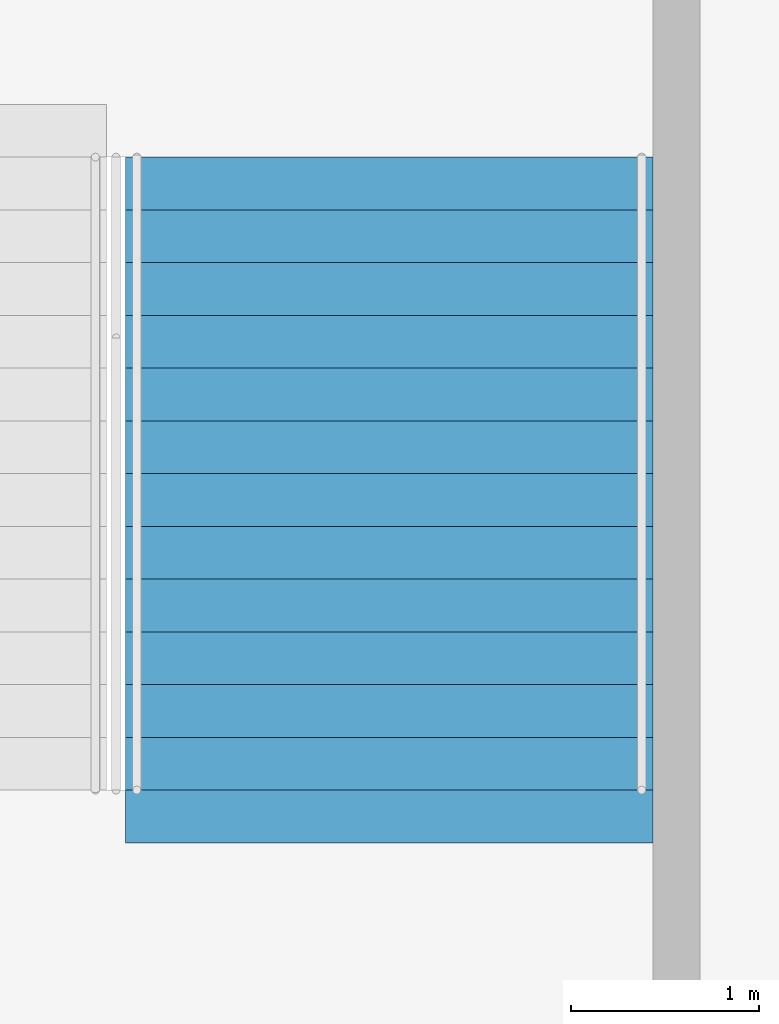
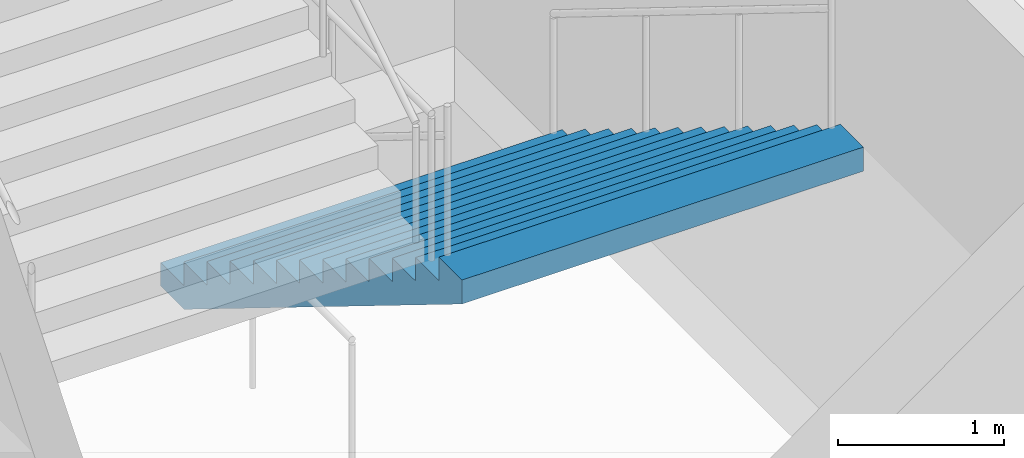
# One storey, part 119 of 199: 1 stair flight, 1 element without a shape of its own.
"""IFC4 building model written with IfcOpenShell, lengths in metres."""

from ifc_helpers import new_model, si_unit, direction, frame, origin, place, context, subcontext, project, spatial, faceted_brep, material, type_object, element, aggregate, save


model = new_model("IFC4")

# Units and contexts
model_context = context("Model", 3, precision=1e-05, world=origin(), true_north=direction((0.0, 1.0)))
body_context = subcontext(model_context, "Body", "Model", "MODEL_VIEW")
ifc_project = project(units=[si_unit("LENGTHUNIT", "METRE"), si_unit("AREAUNIT", "SQUARE_METRE"), si_unit("VOLUMEUNIT", "CUBIC_METRE"), si_unit("PLANEANGLEUNIT", "RADIAN"), si_unit("MASSUNIT", "GRAM", prefix="KILO")], contexts=[model_context])

# Site, building, storey
site_placement = place(None, origin())
site = spatial("IfcSite", under=ifc_project, at=site_placement, CompositionType="ELEMENT")
building_placement = place(site_placement, origin())
building = spatial("IfcBuilding", under=site, at=building_placement, Name="Ogive Plaza Stadium", CompositionType="ELEMENT")
storey_placement = place(building_placement, frame((0.0, 0.0, 4.5)))
storey = spatial("IfcBuildingStorey", under=building, at=storey_placement, Name="L01", CompositionType="ELEMENT", Elevation=4.5)

# Stair, stair flight
ifc_material_1 = material(Name="Concrete C40/50", Category="concrete")
stair_type = type_object("IfcStairType", Name="Exit stair", PredefinedType="STRAIGHT_RUN_STAIR", material=ifc_material_1)
stair_placement = place(storey_placement, origin())
stair = element("IfcStair", 1, at=stair_placement, inside=storey, type_object=stair_type, Name="Exit stair ST16B L01 to L02", PredefinedType="STRAIGHT_RUN_STAIR")
ifc_material_2 = material(Name="Concrete C40/50", Category="concrete")
stair_flight_type = type_object("IfcStairFlightType", Name="Exit stair flight", PredefinedType="STRAIGHT", material=ifc_material_2)
stair_flight_placement = place(storey_placement, frame((-15.97509765625, -94.85009765625, 0.0), z_axis=(0.0, 0.0, 1.0), x_axis=(0.0, -1.0, 0.0)))
stair_flight = element("IfcStairFlight", 2, at=stair_flight_placement, type_object=stair_flight_type, Name="ST16B flight 1", NumberOfRisers=13, NumberOfTreads=12, PredefinedType="STRAIGHT", RiserHeight=0.173076923, TreadLength=0.28, context=body_context, shape_type="Brep", body=[
    faceted_brep([(0.28515625, -1.39990234375, 0.0), (3.639892578125, -1.39990234375, 2.07373046875), (3.639892578125, -1.39990234375, 2.25), (3.360107421875, -1.39990234375, 2.25), (3.360107421875, -1.39990234375, 2.076904296875), (3.080078125, -1.39990234375, 2.076904296875), (3.080078125, -1.39990234375, 1.90380859375), (2.800048828125, -1.39990234375, 1.90380859375), (2.800048828125, -1.39990234375, 1.730712890625), (2.52001953125, -1.39990234375, 1.730712890625), (2.52001953125, -1.39990234375, 1.5576171875), (2.239990234375, -1.39990234375, 1.5576171875), (2.239990234375, -1.39990234375, 1.384521484375), (1.9599609375, -1.39990234375, 1.384521484375), (1.9599609375, -1.39990234375, 1.21142578125), (1.679931640625, -1.39990234375, 1.21142578125), (1.679931640625, -1.39990234375, 1.03857421875), (1.39990234375, -1.39990234375, 1.03857421875), (1.39990234375, -1.39990234375, 0.865478515625), (1.1201171875, -1.39990234375, 0.865478515625), (1.1201171875, -1.39990234375, 0.6923828125), (0.840087890625, -1.39990234375, 0.6923828125), (0.840087890625, -1.39990234375, 0.519287109375), (0.56005859375, -1.39990234375, 0.519287109375), (0.56005859375, -1.39990234375, 0.34619140625), (0.280029296875, -1.39990234375, 0.34619140625), (0.280029296875, -1.39990234375, 0.173095703125), (0.0, -1.39990234375, 0.173095703125), (0.0, -1.39990234375, 0.0), (0.0, 1.39990234375, 0.0), (0.0, 1.39990234375, 0.173095703125), (0.280029296875, 1.39990234375, 0.173095703125), (0.280029296875, 1.39990234375, 0.34619140625), (0.56005859375, 1.39990234375, 0.34619140625), (0.56005859375, 1.39990234375, 0.519287109375), (0.840087890625, 1.39990234375, 0.519287109375), (0.840087890625, 1.39990234375, 0.6923828125), (1.1201171875, 1.39990234375, 0.6923828125), (1.1201171875, 1.39990234375, 0.865478515625), (1.39990234375, 1.39990234375, 0.865478515625), (1.39990234375, 1.39990234375, 1.03857421875), (1.679931640625, 1.39990234375, 1.03857421875), (1.679931640625, 1.39990234375, 1.21142578125), (1.9599609375, 1.39990234375, 1.21142578125), (1.9599609375, 1.39990234375, 1.384521484375), (2.239990234375, 1.39990234375, 1.384521484375), (2.239990234375, 1.39990234375, 1.5576171875), (2.52001953125, 1.39990234375, 1.5576171875), (2.52001953125, 1.39990234375, 1.730712890625), (2.800048828125, 1.39990234375, 1.730712890625), (2.800048828125, 1.39990234375, 1.90380859375), (3.080078125, 1.39990234375, 1.90380859375), (3.080078125, 1.39990234375, 2.076904296875), (3.360107421875, 1.39990234375, 2.076904296875), (3.360107421875, 1.39990234375, 2.25), (3.639892578125, 1.39990234375, 2.25), (3.639892578125, 1.39990234375, 2.07373046875), (0.28515625, 1.39990234375, 0.0), (0.28515625, -1.0888671875, 0.0), (3.639892578125, -1.0888671875, 2.07373046875), (0.28515625, -0.77783203125, 0.0), (3.639892578125, -0.77783203125, 2.07373046875), (0.28515625, -0.466796875, 0.0), (3.639892578125, -0.466796875, 2.07373046875), (0.28515625, -0.155517578125, 0.0), (3.639892578125, -0.155517578125, 2.07373046875), (0.28515625, 0.155517578125, 0.0), (3.639892578125, 0.155517578125, 2.07373046875), (0.28515625, 0.466796875, 0.0), (3.639892578125, 0.466796875, 2.07373046875), (0.28515625, 0.77783203125, 0.0), (3.639892578125, 0.77783203125, 2.07373046875), (0.28515625, 1.0888671875, 0.0), (3.639892578125, 1.0888671875, 2.07373046875), (3.639892578125, -1.0888671875, 2.25), (3.639892578125, -0.77783203125, 2.25), (3.639892578125, -0.466796875, 2.25), (3.639892578125, -0.155517578125, 2.25), (3.639892578125, 0.155517578125, 2.25), (3.639892578125, 0.466796875, 2.25), (3.639892578125, 0.77783203125, 2.25), (3.639892578125, 1.0888671875, 2.25), (3.360107421875, -1.0888671875, 2.25), (3.360107421875, -0.77783203125, 2.25), (3.360107421875, -0.466796875, 2.25), (3.360107421875, -0.155517578125, 2.25), (3.360107421875, 0.155517578125, 2.25), (3.360107421875, 0.466796875, 2.25), (3.360107421875, 0.77783203125, 2.25), (3.360107421875, 1.0888671875, 2.25), (3.360107421875, -1.0888671875, 2.076904296875), (3.360107421875, -0.77783203125, 2.076904296875), (3.360107421875, -0.466796875, 2.076904296875), (3.360107421875, -0.155517578125, 2.076904296875), (3.360107421875, 0.155517578125, 2.076904296875), (3.360107421875, 0.466796875, 2.076904296875), (3.360107421875, 0.77783203125, 2.076904296875), (3.360107421875, 1.0888671875, 2.076904296875), (3.080078125, -1.0888671875, 2.076904296875), (3.080078125, -0.77783203125, 2.076904296875), (3.080078125, -0.466796875, 2.076904296875), (3.080078125, -0.155517578125, 2.076904296875), (3.080078125, 0.155517578125, 2.076904296875), (3.080078125, 0.466796875, 2.076904296875), (3.080078125, 0.77783203125, 2.076904296875), (3.080078125, 1.0888671875, 2.076904296875), (3.080078125, -1.0888671875, 1.90380859375), (3.080078125, -0.77783203125, 1.90380859375), (3.080078125, -0.466796875, 1.90380859375), (3.080078125, -0.155517578125, 1.90380859375), (3.080078125, 0.155517578125, 1.90380859375), (3.080078125, 0.466796875, 1.90380859375), (3.080078125, 0.77783203125, 1.90380859375), (3.080078125, 1.0888671875, 1.90380859375), (2.800048828125, -1.0888671875, 1.90380859375), (2.800048828125, -0.77783203125, 1.90380859375), (2.800048828125, -0.466796875, 1.90380859375), (2.800048828125, -0.155517578125, 1.90380859375), (2.800048828125, 0.155517578125, 1.90380859375), (2.800048828125, 0.466796875, 1.90380859375), (2.800048828125, 0.77783203125, 1.90380859375), (2.800048828125, 1.0888671875, 1.90380859375), (2.800048828125, -1.0888671875, 1.730712890625), (2.800048828125, -0.77783203125, 1.730712890625), (2.800048828125, -0.466796875, 1.730712890625), (2.800048828125, -0.155517578125, 1.730712890625), (2.800048828125, 0.155517578125, 1.730712890625), (2.800048828125, 0.466796875, 1.730712890625), (2.800048828125, 0.77783203125, 1.730712890625), (2.800048828125, 1.0888671875, 1.730712890625), (2.52001953125, -1.0888671875, 1.730712890625), (2.52001953125, -0.77783203125, 1.730712890625), (2.52001953125, -0.466796875, 1.730712890625), (2.52001953125, -0.155517578125, 1.730712890625), (2.52001953125, 0.155517578125, 1.730712890625), (2.52001953125, 0.466796875, 1.730712890625), (2.52001953125, 0.77783203125, 1.730712890625), (2.52001953125, 1.0888671875, 1.730712890625), (2.52001953125, -1.0888671875, 1.5576171875), (2.52001953125, -0.77783203125, 1.5576171875), (2.52001953125, -0.466796875, 1.5576171875), (2.52001953125, -0.155517578125, 1.5576171875), (2.52001953125, 0.155517578125, 1.5576171875), (2.52001953125, 0.466796875, 1.5576171875), (2.52001953125, 0.77783203125, 1.5576171875), (2.52001953125, 1.0888671875, 1.5576171875), (2.239990234375, -1.0888671875, 1.5576171875), (2.239990234375, -0.77783203125, 1.5576171875), (2.239990234375, -0.466796875, 1.5576171875), (2.239990234375, -0.155517578125, 1.5576171875), (2.239990234375, 0.155517578125, 1.5576171875), (2.239990234375, 0.466796875, 1.5576171875), (2.239990234375, 0.77783203125, 1.5576171875), (2.239990234375, 1.0888671875, 1.5576171875), (2.239990234375, -1.0888671875, 1.384521484375), (2.239990234375, -0.77783203125, 1.384521484375), (2.239990234375, -0.466796875, 1.384521484375), (2.239990234375, -0.155517578125, 1.384521484375), (2.239990234375, 0.155517578125, 1.384521484375), (2.239990234375, 0.466796875, 1.384521484375), (2.239990234375, 0.77783203125, 1.384521484375), (2.239990234375, 1.0888671875, 1.384521484375), (1.9599609375, -1.0888671875, 1.384521484375), (1.9599609375, -0.77783203125, 1.384521484375), (1.9599609375, -0.466796875, 1.384521484375), (1.9599609375, -0.155517578125, 1.384521484375), (1.9599609375, 0.155517578125, 1.384521484375), (1.9599609375, 0.466796875, 1.384521484375), (1.9599609375, 0.77783203125, 1.384521484375), (1.9599609375, 1.0888671875, 1.384521484375), (1.9599609375, -1.0888671875, 1.21142578125), (1.9599609375, -0.77783203125, 1.21142578125), (1.9599609375, -0.466796875, 1.21142578125), (1.9599609375, -0.155517578125, 1.21142578125), (1.9599609375, 0.155517578125, 1.21142578125), (1.9599609375, 0.466796875, 1.21142578125), (1.9599609375, 0.77783203125, 1.21142578125), (1.9599609375, 1.0888671875, 1.21142578125), (1.679931640625, -1.0888671875, 1.21142578125), (1.679931640625, -0.77783203125, 1.21142578125), (1.679931640625, -0.466796875, 1.21142578125), (1.679931640625, -0.155517578125, 1.21142578125), (1.679931640625, 0.155517578125, 1.21142578125), (1.679931640625, 0.466796875, 1.21142578125), (1.679931640625, 0.77783203125, 1.21142578125), (1.679931640625, 1.0888671875, 1.21142578125), (1.679931640625, -1.0888671875, 1.03857421875), (1.679931640625, -0.77783203125, 1.03857421875), (1.679931640625, -0.466796875, 1.03857421875), (1.679931640625, -0.155517578125, 1.03857421875), (1.679931640625, 0.155517578125, 1.03857421875), (1.679931640625, 0.466796875, 1.03857421875), (1.679931640625, 0.77783203125, 1.03857421875), (1.679931640625, 1.0888671875, 1.03857421875), (1.39990234375, -1.0888671875, 1.03857421875), (1.39990234375, -0.77783203125, 1.03857421875), (1.39990234375, -0.466796875, 1.03857421875), (1.39990234375, -0.155517578125, 1.03857421875), (1.39990234375, 0.155517578125, 1.03857421875), (1.39990234375, 0.466796875, 1.03857421875), (1.39990234375, 0.77783203125, 1.03857421875), (1.39990234375, 1.0888671875, 1.03857421875), (1.39990234375, -1.0888671875, 0.865478515625), (1.39990234375, -0.77783203125, 0.865478515625), (1.39990234375, -0.466796875, 0.865478515625), (1.39990234375, -0.155517578125, 0.865478515625), (1.39990234375, 0.155517578125, 0.865478515625), (1.39990234375, 0.466796875, 0.865478515625), (1.39990234375, 0.77783203125, 0.865478515625), (1.39990234375, 1.0888671875, 0.865478515625), (1.1201171875, -1.0888671875, 0.865478515625), (1.1201171875, -0.77783203125, 0.865478515625), (1.1201171875, -0.466796875, 0.865478515625), (1.1201171875, -0.155517578125, 0.865478515625), (1.1201171875, 0.155517578125, 0.865478515625), (1.1201171875, 0.466796875, 0.865478515625), (1.1201171875, 0.77783203125, 0.865478515625), (1.1201171875, 1.0888671875, 0.865478515625), (1.1201171875, -1.0888671875, 0.6923828125), (1.1201171875, -0.77783203125, 0.6923828125), (1.1201171875, -0.466796875, 0.6923828125), (1.1201171875, -0.155517578125, 0.6923828125), (1.1201171875, 0.155517578125, 0.6923828125), (1.1201171875, 0.466796875, 0.6923828125), (1.1201171875, 0.77783203125, 0.6923828125), (1.1201171875, 1.0888671875, 0.6923828125), (0.840087890625, -1.0888671875, 0.6923828125), (0.840087890625, -0.77783203125, 0.6923828125), (0.840087890625, -0.466796875, 0.6923828125), (0.840087890625, -0.155517578125, 0.6923828125), (0.840087890625, 0.155517578125, 0.6923828125), (0.840087890625, 0.466796875, 0.6923828125), (0.840087890625, 0.77783203125, 0.6923828125), (0.840087890625, 1.0888671875, 0.6923828125), (0.840087890625, -1.0888671875, 0.519287109375), (0.840087890625, -0.77783203125, 0.519287109375), (0.840087890625, -0.466796875, 0.519287109375), (0.840087890625, -0.155517578125, 0.519287109375), (0.840087890625, 0.155517578125, 0.519287109375), (0.840087890625, 0.466796875, 0.519287109375), (0.840087890625, 0.77783203125, 0.519287109375), (0.840087890625, 1.0888671875, 0.519287109375), (0.56005859375, -1.0888671875, 0.519287109375), (0.56005859375, -0.77783203125, 0.519287109375), (0.56005859375, -0.466796875, 0.519287109375), (0.56005859375, -0.155517578125, 0.519287109375), (0.56005859375, 0.155517578125, 0.519287109375), (0.56005859375, 0.466796875, 0.519287109375), (0.56005859375, 0.77783203125, 0.519287109375), (0.56005859375, 1.0888671875, 0.519287109375), (0.56005859375, -1.0888671875, 0.34619140625), (0.56005859375, -0.77783203125, 0.34619140625), (0.56005859375, -0.466796875, 0.34619140625), (0.56005859375, -0.155517578125, 0.34619140625), (0.56005859375, 0.155517578125, 0.34619140625), (0.56005859375, 0.466796875, 0.34619140625), (0.56005859375, 0.77783203125, 0.34619140625), (0.56005859375, 1.0888671875, 0.34619140625), (0.280029296875, -1.0888671875, 0.34619140625), (0.280029296875, -0.77783203125, 0.34619140625), (0.280029296875, -0.466796875, 0.34619140625), (0.280029296875, -0.155517578125, 0.34619140625), (0.280029296875, 0.155517578125, 0.34619140625), (0.280029296875, 0.466796875, 0.34619140625), (0.280029296875, 0.77783203125, 0.34619140625), (0.280029296875, 1.0888671875, 0.34619140625), (0.280029296875, -1.0888671875, 0.173095703125), (0.280029296875, -0.77783203125, 0.173095703125), (0.280029296875, -0.466796875, 0.173095703125), (0.280029296875, -0.155517578125, 0.173095703125), (0.280029296875, 0.155517578125, 0.173095703125), (0.280029296875, 0.466796875, 0.173095703125), (0.280029296875, 0.77783203125, 0.173095703125), (0.280029296875, 1.0888671875, 0.173095703125), (0.0, -1.0888671875, 0.173095703125), (0.0, -0.77783203125, 0.173095703125), (0.0, -0.466796875, 0.173095703125), (0.0, -0.155517578125, 0.173095703125), (0.0, 0.155517578125, 0.173095703125), (0.0, 0.466796875, 0.173095703125), (0.0, 0.77783203125, 0.173095703125), (0.0, 1.0888671875, 0.173095703125), (0.0, -1.0888671875, 0.0), (0.0, -0.77783203125, 0.0), (0.0, -0.466796875, 0.0), (0.0, -0.155517578125, 0.0), (0.0, 0.155517578125, 0.0), (0.0, 0.466796875, 0.0), (0.0, 0.77783203125, 0.0), (0.0, 1.0888671875, 0.0)], [[[0, 1, 2, 3, 4, 5, 6, 7, 8, 9, 10, 11, 12, 13, 14, 15, 16, 17, 18, 19, 20, 21, 22, 23, 24, 25, 26, 27, 28]], [[29, 30, 31, 32, 33, 34, 35, 36, 37, 38, 39, 40, 41, 42, 43, 44, 45, 46, 47, 48, 49, 50, 51, 52, 53, 54, 55, 56, 57]], [[0, 58, 59, 1]], [[58, 60, 61, 59]], [[60, 62, 63, 61]], [[62, 64, 65, 63]], [[64, 66, 67, 65]], [[66, 68, 69, 67]], [[68, 70, 71, 69]], [[70, 72, 73, 71]], [[72, 57, 56, 73]], [[1, 59, 74, 2]], [[59, 61, 75, 74]], [[61, 63, 76, 75]], [[63, 65, 77, 76]], [[65, 67, 78, 77]], [[67, 69, 79, 78]], [[69, 71, 80, 79]], [[71, 73, 81, 80]], [[73, 56, 55, 81]], [[2, 74, 82, 3]], [[74, 75, 83, 82]], [[75, 76, 84, 83]], [[76, 77, 85, 84]], [[77, 78, 86, 85]], [[78, 79, 87, 86]], [[79, 80, 88, 87]], [[80, 81, 89, 88]], [[81, 55, 54, 89]], [[3, 82, 90, 4]], [[82, 83, 91, 90]], [[83, 84, 92, 91]], [[84, 85, 93, 92]], [[85, 86, 94, 93]], [[86, 87, 95, 94]], [[87, 88, 96, 95]], [[88, 89, 97, 96]], [[89, 54, 53, 97]], [[4, 90, 98, 5]], [[90, 91, 99, 98]], [[91, 92, 100, 99]], [[92, 93, 101, 100]], [[93, 94, 102, 101]], [[94, 95, 103, 102]], [[95, 96, 104, 103]], [[96, 97, 105, 104]], [[97, 53, 52, 105]], [[5, 98, 106, 6]], [[98, 99, 107, 106]], [[99, 100, 108, 107]], [[100, 101, 109, 108]], [[101, 102, 110, 109]], [[102, 103, 111, 110]], [[103, 104, 112, 111]], [[104, 105, 113, 112]], [[105, 52, 51, 113]], [[6, 106, 114, 7]], [[106, 107, 115, 114]], [[107, 108, 116, 115]], [[108, 109, 117, 116]], [[109, 110, 118, 117]], [[110, 111, 119, 118]], [[111, 112, 120, 119]], [[112, 113, 121, 120]], [[113, 51, 50, 121]], [[7, 114, 122, 8]], [[114, 115, 123, 122]], [[115, 116, 124, 123]], [[116, 117, 125, 124]], [[117, 118, 126, 125]], [[118, 119, 127, 126]], [[119, 120, 128, 127]], [[120, 121, 129, 128]], [[121, 50, 49, 129]], [[8, 122, 130, 9]], [[122, 123, 131, 130]], [[123, 124, 132, 131]], [[124, 125, 133, 132]], [[125, 126, 134, 133]], [[126, 127, 135, 134]], [[127, 128, 136, 135]], [[128, 129, 137, 136]], [[129, 49, 48, 137]], [[9, 130, 138, 10]], [[130, 131, 139, 138]], [[131, 132, 140, 139]], [[132, 133, 141, 140]], [[133, 134, 142, 141]], [[134, 135, 143, 142]], [[135, 136, 144, 143]], [[136, 137, 145, 144]], [[137, 48, 47, 145]], [[10, 138, 146, 11]], [[138, 139, 147, 146]], [[139, 140, 148, 147]], [[140, 141, 149, 148]], [[141, 142, 150, 149]], [[142, 143, 151, 150]], [[143, 144, 152, 151]], [[144, 145, 153, 152]], [[145, 47, 46, 153]], [[11, 146, 154, 12]], [[146, 147, 155, 154]], [[147, 148, 156, 155]], [[148, 149, 157, 156]], [[149, 150, 158, 157]], [[150, 151, 159, 158]], [[151, 152, 160, 159]], [[152, 153, 161, 160]], [[153, 46, 45, 161]], [[12, 154, 162, 13]], [[154, 155, 163, 162]], [[155, 156, 164, 163]], [[156, 157, 165, 164]], [[157, 158, 166, 165]], [[158, 159, 167, 166]], [[159, 160, 168, 167]], [[160, 161, 169, 168]], [[161, 45, 44, 169]], [[13, 162, 170, 14]], [[162, 163, 171, 170]], [[163, 164, 172, 171]], [[164, 165, 173, 172]], [[165, 166, 174, 173]], [[166, 167, 175, 174]], [[167, 168, 176, 175]], [[168, 169, 177, 176]], [[169, 44, 43, 177]], [[14, 170, 178, 15]], [[170, 171, 179, 178]], [[171, 172, 180, 179]], [[172, 173, 181, 180]], [[173, 174, 182, 181]], [[174, 175, 183, 182]], [[175, 176, 184, 183]], [[176, 177, 185, 184]], [[177, 43, 42, 185]], [[15, 178, 186, 16]], [[178, 179, 187, 186]], [[179, 180, 188, 187]], [[180, 181, 189, 188]], [[181, 182, 190, 189]], [[182, 183, 191, 190]], [[183, 184, 192, 191]], [[184, 185, 193, 192]], [[185, 42, 41, 193]], [[16, 186, 194, 17]], [[186, 187, 195, 194]], [[187, 188, 196, 195]], [[188, 189, 197, 196]], [[189, 190, 198, 197]], [[190, 191, 199, 198]], [[191, 192, 200, 199]], [[192, 193, 201, 200]], [[193, 41, 40, 201]], [[17, 194, 202, 18]], [[194, 195, 203, 202]], [[195, 196, 204, 203]], [[196, 197, 205, 204]], [[197, 198, 206, 205]], [[198, 199, 207, 206]], [[199, 200, 208, 207]], [[200, 201, 209, 208]], [[201, 40, 39, 209]], [[18, 202, 210, 19]], [[202, 203, 211, 210]], [[203, 204, 212, 211]], [[204, 205, 213, 212]], [[205, 206, 214, 213]], [[206, 207, 215, 214]], [[207, 208, 216, 215]], [[208, 209, 217, 216]], [[209, 39, 38, 217]], [[19, 210, 218, 20]], [[210, 211, 219, 218]], [[211, 212, 220, 219]], [[212, 213, 221, 220]], [[213, 214, 222, 221]], [[214, 215, 223, 222]], [[215, 216, 224, 223]], [[216, 217, 225, 224]], [[217, 38, 37, 225]], [[20, 218, 226, 21]], [[218, 219, 227, 226]], [[219, 220, 228, 227]], [[220, 221, 229, 228]], [[221, 222, 230, 229]], [[222, 223, 231, 230]], [[223, 224, 232, 231]], [[224, 225, 233, 232]], [[225, 37, 36, 233]], [[21, 226, 234, 22]], [[226, 227, 235, 234]], [[227, 228, 236, 235]], [[228, 229, 237, 236]], [[229, 230, 238, 237]], [[230, 231, 239, 238]], [[231, 232, 240, 239]], [[232, 233, 241, 240]], [[233, 36, 35, 241]], [[22, 234, 242, 23]], [[234, 235, 243, 242]], [[235, 236, 244, 243]], [[236, 237, 245, 244]], [[237, 238, 246, 245]], [[238, 239, 247, 246]], [[239, 240, 248, 247]], [[240, 241, 249, 248]], [[241, 35, 34, 249]], [[23, 242, 250, 24]], [[242, 243, 251, 250]], [[243, 244, 252, 251]], [[244, 245, 253, 252]], [[245, 246, 254, 253]], [[246, 247, 255, 254]], [[247, 248, 256, 255]], [[248, 249, 257, 256]], [[249, 34, 33, 257]], [[24, 250, 258, 25]], [[250, 251, 259, 258]], [[251, 252, 260, 259]], [[252, 253, 261, 260]], [[253, 254, 262, 261]], [[254, 255, 263, 262]], [[255, 256, 264, 263]], [[256, 257, 265, 264]], [[257, 33, 32, 265]], [[25, 258, 266, 26]], [[258, 259, 267, 266]], [[259, 260, 268, 267]], [[260, 261, 269, 268]], [[261, 262, 270, 269]], [[262, 263, 271, 270]], [[263, 264, 272, 271]], [[264, 265, 273, 272]], [[265, 32, 31, 273]], [[26, 266, 274, 27]], [[266, 267, 275, 274]], [[267, 268, 276, 275]], [[268, 269, 277, 276]], [[269, 270, 278, 277]], [[270, 271, 279, 278]], [[271, 272, 280, 279]], [[272, 273, 281, 280]], [[273, 31, 30, 281]], [[27, 274, 282, 28]], [[274, 275, 283, 282]], [[275, 276, 284, 283]], [[276, 277, 285, 284]], [[277, 278, 286, 285]], [[278, 279, 287, 286]], [[279, 280, 288, 287]], [[280, 281, 289, 288]], [[281, 30, 29, 289]], [[28, 282, 58, 0]], [[282, 283, 60, 58]], [[283, 284, 62, 60]], [[284, 285, 64, 62]], [[285, 286, 66, 64]], [[286, 287, 68, 66]], [[287, 288, 70, 68]], [[288, 289, 72, 70]], [[289, 29, 57, 72]]]),
])
aggregate(stair, [stair_flight])

save(model, "model.ifc")
